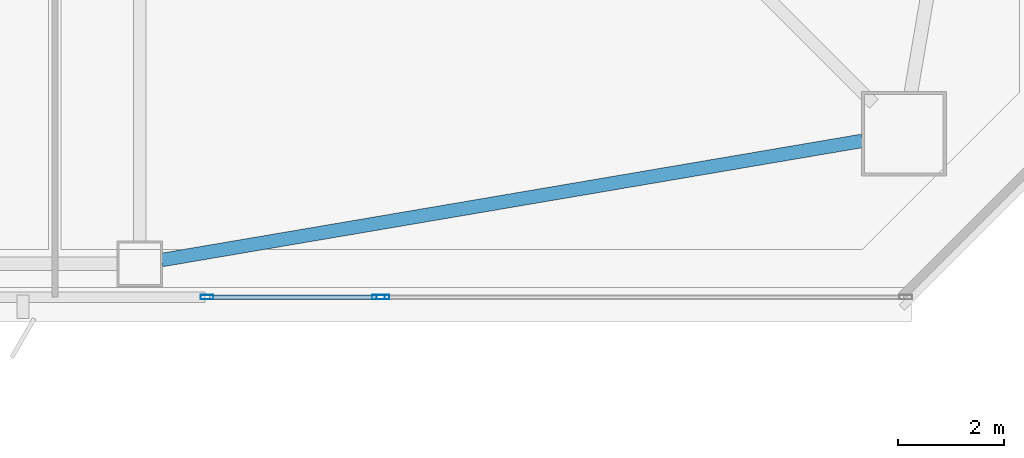
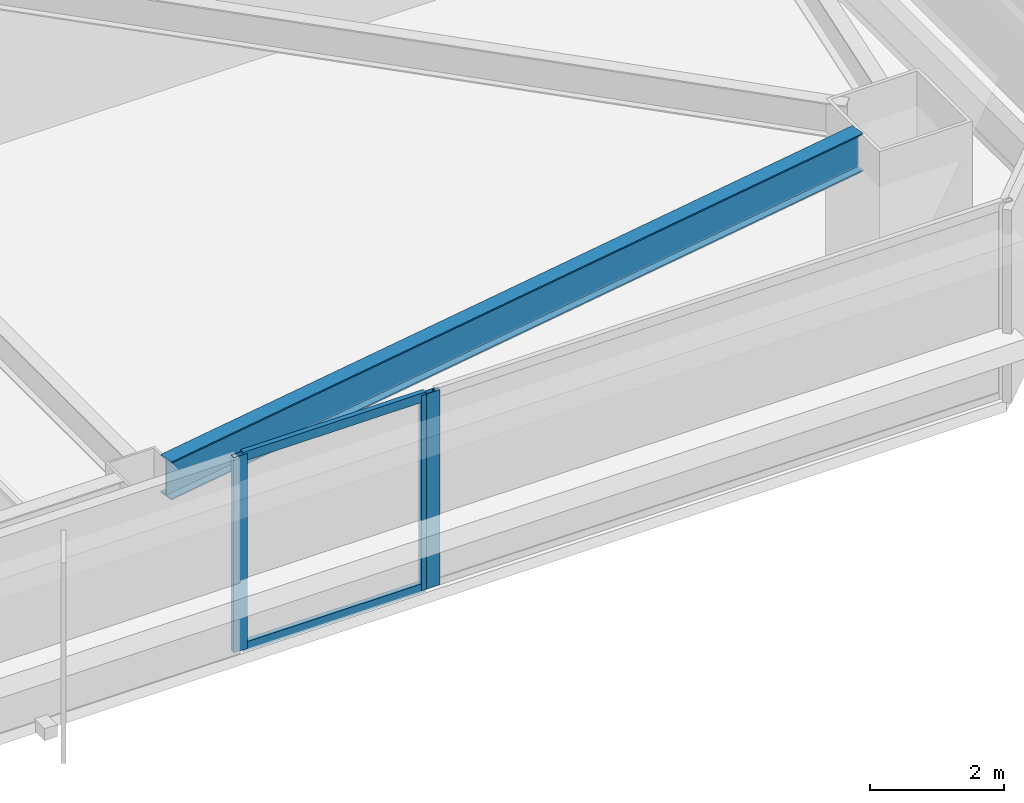
# One storey, part 7 of 62: 5 members, 1 beam, 2 elements without a shape of their own.
"""IFC4 building model written with IfcOpenShell, lengths in metres."""

import ifcopenshell
import ifcopenshell.guid

model = None  # the IFC model being written
_history = None  # IfcOwnerHistory: only IFC2X3 demands one
_inside = {}  # id of a spatial element -> (the spatial element, [elements in it])
_under = {}  # id of a project, library or spatial element -> (it, [spatial elements below it])
_declared = {}  # id of a project -> (the project, [libraries it declares])
_typed = {}  # id of a type object -> (the type object, [elements of that type])
_made_of = {}  # id of a material, layer set ... -> (it, [elements and type objects made of it])


def new_model(schema):
    """Start an empty IFC model of exactly this schema.

    Asked for "IFC4X3", IfcOpenShell would pick the latest addendum, in which some entities
    have other attributes; the version numbers below select the first issue.
    IFC2X3 requires an IfcOwnerHistory on every rooted entity: one is made here for all.
    """
    global model, _history
    if schema == "IFC4X3":
        model = ifcopenshell.file(schema_version=(4, 3, 0, 0))
    else:
        model = ifcopenshell.file(schema=schema)
    _inside.clear()
    _under.clear()
    _declared.clear()
    _typed.clear()
    _made_of.clear()
    _history = None
    if model.schema == "IFC2X3":
        org = make("IfcOrganization", Name="unknown")
        user = make(
            "IfcPersonAndOrganization",
            ThePerson=make("IfcPerson", FamilyName="unknown"),
            TheOrganization=org,
        )
        app = make(
            "IfcApplication",
            ApplicationDeveloper=org,
            Version="unknown",
            ApplicationFullName="unknown",
            ApplicationIdentifier="unknown",
        )
        _history = make(
            "IfcOwnerHistory",
            OwningUser=user,
            OwningApplication=app,
            ChangeAction="ADDED",
            CreationDate=0,
        )
    return model


def make(cls, **values):
    """One entity of the class cls with the attributes given. An attribute that is None is left unset."""
    return model.create_entity(
        cls, **{name: value for name, value in values.items() if value is not None}
    )


def rooted(cls, **values):
    """An entity with a GlobalId (a new one), such as an element, a storey or a relation."""
    return make(cls, GlobalId=ifcopenshell.guid.new(), OwnerHistory=_history, **values)


def si_unit(unit_type, name, prefix=None):
    """IfcSIUnit, for example si_unit("LENGTHUNIT", "METRE", prefix="MILLI")."""
    return make("IfcSIUnit", UnitType=unit_type, Prefix=prefix, Name=name)


def assignment(units):
    """IfcUnitAssignment: the units of a project."""
    return None if units is None else make("IfcUnitAssignment", Units=units)


def point(xyz):
    """IfcCartesianPoint."""
    return None if xyz is None else make("IfcCartesianPoint", Coordinates=xyz)


def direction(xyz):
    """IfcDirection."""
    return None if xyz is None else make("IfcDirection", DirectionRatios=xyz)


def frame(location, z_axis=None, x_axis=None):
    """IfcAxis2Placement3D, a coordinate frame: its origin and axes. An axis left out is left unset."""
    return make(
        "IfcAxis2Placement3D",
        Location=point(location),
        Axis=direction(z_axis),
        RefDirection=direction(x_axis),
    )


def frame_2d(location, x_axis=None):
    """IfcAxis2Placement2D, a coordinate frame in the plane: its origin and x axis."""
    return make(
        "IfcAxis2Placement2D", Location=point(location), RefDirection=direction(x_axis)
    )


def origin():
    """The frame at (0, 0, 0) with its axes left unset."""
    return frame((0.0, 0.0, 0.0))


def origin_2d():
    """The frame at (0, 0) in the plane with its x axis left unset."""
    return frame_2d((0.0, 0.0))


def place(relative_to, where):
    """IfcLocalPlacement: puts the frame where relative to a parent placement (None: the world)."""
    return make(
        "IfcLocalPlacement", PlacementRelTo=relative_to, RelativePlacement=where
    )


def context(
    kind, dimensions, precision=None, world=None, true_north=None, identifier=None
):
    """IfcGeometricRepresentationContext, for example the 3D "Model" context."""
    return make(
        "IfcGeometricRepresentationContext",
        ContextIdentifier=identifier,
        ContextType=kind,
        CoordinateSpaceDimension=dimensions,
        Precision=precision,
        WorldCoordinateSystem=world,
        TrueNorth=true_north,
    )


def subcontext(parent, identifier, kind, view, scale=None):
    """IfcGeometricRepresentationSubContext, for example "Body" below "Model"."""
    return make(
        "IfcGeometricRepresentationSubContext",
        ContextIdentifier=identifier,
        ContextType=kind,
        ParentContext=parent,
        TargetScale=scale,
        TargetView=view,
    )


def project(units=None, contexts=None):
    """IfcProject with its units and contexts."""
    return rooted(
        "IfcProject",
        Name="project",
        RepresentationContexts=contexts,
        UnitsInContext=assignment(units),
    )


def spatial(cls, under=None, at=None, **own):
    """A site, building, storey or space (cls), placed at a placement, below another one or the project."""
    s = rooted(cls, ObjectPlacement=at, **own)
    if under is not None:
        _under.setdefault(under.id(), (under, []))[1].append(s)
    return s


def profile(cls, at=None, kind="AREA", **sizes):
    """A parametric profile (cls). Its sizes go by their IFC names, for example OverallWidth=200.0."""
    return make(cls, ProfileType=kind, Position=at, **sizes)


def hollow_rectangle(**sizes):
    """IfcRectangleHollowProfileDef."""
    return profile("IfcRectangleHollowProfileDef", **sizes)


def i_section(**sizes):
    """IfcIShapeProfileDef."""
    return profile("IfcIShapeProfileDef", **sizes)


def extrude(swept, where, along, depth):
    """IfcExtrudedAreaSolid: the profile swept, set in the frame where, extruded along a direction by depth."""
    return make(
        "IfcExtrudedAreaSolid",
        SweptArea=swept,
        Position=where,
        ExtrudedDirection=direction(along),
        Depth=depth,
    )


def shape(context_of_items, identifier, shape_type, items):
    """IfcShapeRepresentation: the items that make up one representation, for example the "Body"."""
    return make(
        "IfcShapeRepresentation",
        ContextOfItems=context_of_items,
        RepresentationIdentifier=identifier,
        RepresentationType=shape_type,
        Items=items,
    )


def material(Name=None, Category=None):
    """IfcMaterial."""
    return make("IfcMaterial", Name=Name, Category=Category)


def material_profile(
    of_material, cross_section, Name=None, Category=None, Priority=None
):
    """IfcMaterialProfile: a cross section and its material."""
    return make(
        "IfcMaterialProfile",
        Name=Name,
        Material=of_material,
        Profile=cross_section,
        Priority=Priority,
        Category=Category,
    )


def profile_set(profiles, Name=None, composite=None):
    """IfcMaterialProfileSet."""
    return make(
        "IfcMaterialProfileSet",
        Name=Name,
        MaterialProfiles=profiles,
        CompositeProfile=composite,
    )


def made_of(thing, what):
    """Note that an element or type object is made of a material, layer set ...; save() writes the relation."""
    if what is not None:
        _made_of.setdefault(what.id(), (what, []))[1].append(thing)
    return thing


def type_object(cls, material=None, **own):
    """A type object (cls), such as IfcWallType, which elements share."""
    return made_of(rooted(cls, **own), material)


def element(
    cls,
    number,
    at=None,
    inside=None,
    cuts=None,
    type_object=None,
    material=None,
    context=None,
    identifier="Body",
    shape_type=None,
    held_by="IfcProductDefinitionShape",
    body=None,
    shapes=None,
    **own,
):
    """One element of the class cls, such as IfcWall. Its Tag is "e" and its number.

    at: its placement. inside: the storey or other place that contains it. cuts: it is an
    opening in that element (IfcRelVoidsElement). A single representation is given by context,
    identifier, shape_type and body (its items); several are given by shapes. held_by: the class
    of the entity that holds the representations. save() writes the other relations.
    """
    e = rooted(cls, Tag="e%d" % number, ObjectPlacement=at, **own)
    if body is not None:
        shapes = [shape(context, identifier, shape_type, body)]
    if shapes is not None:
        e.Representation = make(held_by, Representations=shapes)
    if inside is not None:
        _inside.setdefault(inside.id(), (inside, []))[1].append(e)
    if cuts is not None:
        rooted(
            "IfcRelVoidsElement", RelatingBuildingElement=cuts, RelatedOpeningElement=e
        )
    if type_object is not None:
        _typed.setdefault(type_object.id(), (type_object, []))[1].append(e)
    return made_of(e, material)


def aggregate(whole, parts):
    """IfcRelAggregates: a whole, such as a stair, and the parts it consists of."""
    return rooted("IfcRelAggregates", RelatingObject=whole, RelatedObjects=parts)


def save(model, path):
    """Write the relations noted so far, then the file.

    IfcRelAggregates (storeys below a building ...), IfcRelContainedInSpatialStructure (elements
    in a storey), IfcRelDefinesByType, IfcRelAssociatesMaterial and IfcRelDeclares: one each for
    every whole, place, type object, material and project.
    """
    for whole, parts in _under.values():
        aggregate(whole, parts)
    for where, things in _inside.values():
        rooted(
            "IfcRelContainedInSpatialStructure",
            RelatedElements=things,
            RelatingStructure=where,
        )
    for kind, things in _typed.values():
        rooted("IfcRelDefinesByType", RelatedObjects=things, RelatingType=kind)
    for what, things in _made_of.values():
        rooted("IfcRelAssociatesMaterial", RelatedObjects=things, RelatingMaterial=what)
    for by, libraries in _declared.values():
        rooted("IfcRelDeclares", RelatingContext=by, RelatedDefinitions=libraries)
    model.write(path)


model = new_model("IFC4")

# Units and contexts
model_context = context("Model", 3, precision=1e-05, world=origin(), true_north=direction((0.0, 1.0)))
body_context = subcontext(model_context, "Body", "Model", "MODEL_VIEW")
ifc_project = project(units=[si_unit("LENGTHUNIT", "METRE"), si_unit("AREAUNIT", "SQUARE_METRE"), si_unit("VOLUMEUNIT", "CUBIC_METRE"), si_unit("PLANEANGLEUNIT", "RADIAN"), si_unit("MASSUNIT", "GRAM", prefix="KILO")], contexts=[model_context])

# Site, building, storey
site_placement = place(None, origin())
site = spatial("IfcSite", under=ifc_project, at=site_placement, CompositionType="ELEMENT")
building_placement = place(site_placement, origin())
building = spatial("IfcBuilding", under=site, at=building_placement, Name="Tashvorn Skyway Center", CompositionType="ELEMENT")
storey_placement = place(building_placement, frame((0.0, 0.0, 28.14990234375)))
storey = spatial("IfcBuildingStorey", under=building, at=storey_placement, Name="L06", CompositionType="ELEMENT", Elevation=28.14990234375)

# Beam
ifc_material_1 = material(Name="Steel ASTM A992 Grade 50", Category="steel")
ifc_material_profile_1 = material_profile(ifc_material_1, i_section(OverallWidth=0.256103515625, OverallDepth=0.693115234375, WebThickness=0.014404296875, FlangeThickness=0.023681640625, at=origin_2d()), Name="W27X114")
ifc_profile_set_1 = profile_set([ifc_material_profile_1], Name="Steel ASTM A992 Grade 50")
beam_type = type_object("IfcBeamType", Name="BM-SPANDREL-W27X114", PredefinedType="SPANDREL", material=ifc_profile_set_1)
beam_placement = place(storey_placement, frame((47.81396484375, 9.820556640625, 3.003662109375), z_axis=(0.985835025551, 0.16771792509, 0.0), x_axis=(-0.16771792509, 0.985835025551, 0.0)))
element("IfcBeam", 1, at=beam_placement, inside=storey, type_object=beam_type, Name="Tower 1 L06 Spandrel Beam 03", PredefinedType="SPANDREL", context=body_context, shape_type="SweptSolid", body=[
    extrude(i_section(OverallWidth=0.256103515625, OverallDepth=0.693115234375, WebThickness=0.014404296875, FlangeThickness=0.023681640625, at=origin_2d()), origin(), (0.0, 0.0, 1.0), 13.39208984375),
])

# Curtain wall, member
ifc_material_2 = material(Name="Thermally broken bronze-anodized aluminium 6063-T6", Category="aluminium")
curtain_wall_type = type_object("IfcCurtainWallType", Name="CW-CW-Z1", PredefinedType="NOTDEFINED", material=ifc_material_2)
curtain_wall_1_placement = place(storey_placement, origin())
curtain_wall_1 = element("IfcCurtainWall", 2, at=curtain_wall_1_placement, inside=storey, type_object=curtain_wall_type, Name="Tower 1 L06 South Unitised Curtain Wall Glazing Group 1", PredefinedType="NOTDEFINED")
ifc_material_profile_2 = material_profile(ifc_material_2, hollow_rectangle(XDim=0.0849609375, YDim=0.239990234375, WallThickness=0.0048828125, at=origin_2d()), Name="ALU-MULL-85x240")
ifc_profile_set_2 = profile_set([ifc_material_profile_2], Name="Thermally broken bronze-anodized aluminium 6063-T6")
member_type_1 = type_object("IfcMemberType", Name="CWM-CW-Z1", PredefinedType="MULLION", material=ifc_profile_set_2)
member_1_placement = place(storey_placement, frame((51.982421875, 9.1201171875, 0.0), z_axis=(0.0, 0.0, 1.0), x_axis=(0.0, -1.0, 0.0)))
member_1 = element("IfcMember", 3, at=member_1_placement, type_object=member_type_1, Name="CW-Z1 mullion 2", PredefinedType="MULLION", context=body_context, shape_type="SweptSolid", body=[
    extrude(hollow_rectangle(XDim=0.0849609375, YDim=0.239990234375, WallThickness=0.0048828125, at=origin_2d()), origin(), (0.0, 0.0, 1.0), 3.550048828125),
])
aggregate(curtain_wall_1, [member_1])

# Curtain wall, members
curtain_wall_2_placement = place(storey_placement, origin())
curtain_wall_2 = element("IfcCurtainWall", 4, at=curtain_wall_2_placement, inside=storey, type_object=curtain_wall_type, Name="Tower 1 L06 South Unitised Curtain Wall Glazing Group 2", PredefinedType="NOTDEFINED")
member_2_placement = place(storey_placement, frame((51.8974609375, 9.1201171875, 0.0), z_axis=(0.0, 0.0, 1.0), x_axis=(0.0, -1.0, 0.0)))
member_2 = element("IfcMember", 5, at=member_2_placement, type_object=member_type_1, Name="CW-Z1 mullion 1", PredefinedType="MULLION", context=body_context, shape_type="SweptSolid", body=[
    extrude(hollow_rectangle(XDim=0.0849609375, YDim=0.239990234375, WallThickness=0.0048828125, at=origin_2d()), origin(), (0.0, 0.0, 1.0), 3.550048828125),
])
member_3_placement = place(storey_placement, frame((48.669189453125, 9.1201171875, 0.0), z_axis=(0.0, 0.0, 1.0), x_axis=(0.0, -1.0, 0.0)))
member_3 = element("IfcMember", 6, at=member_3_placement, type_object=member_type_1, Name="CW-Z1 mullion 2", PredefinedType="MULLION", context=body_context, shape_type="SweptSolid", body=[
    extrude(hollow_rectangle(XDim=0.0849609375, YDim=0.239990234375, WallThickness=0.0048828125, at=origin_2d()), origin(), (0.0, 0.0, 1.0), 3.550048828125),
])
ifc_material_profile_3 = material_profile(ifc_material_2, hollow_rectangle(XDim=0.0849609375, YDim=0.1650390625, WallThickness=0.0048828125, at=origin_2d()), Name="ALU-TRAN-85x165")
ifc_profile_set_3 = profile_set([ifc_material_profile_3], Name="Thermally broken bronze-anodized aluminium 6063-T6")
member_type_2 = type_object("IfcMemberType", Name="CWT-CW-Z1", PredefinedType="USERDEFINED", material=ifc_profile_set_3)
member_4_placement = place(storey_placement, frame((51.85498046875, 9.1201171875, 0.04248046875), z_axis=(-1.0, 0.0, 0.0), x_axis=(0.0, -1.0, 0.0)))
member_4 = element("IfcMember", 7, at=member_4_placement, type_object=member_type_2, Name="CW-Z1 transom 1.1", ObjectType="TRANSOM", PredefinedType="USERDEFINED", context=body_context, shape_type="SweptSolid", body=[
    extrude(hollow_rectangle(XDim=0.0849609375, YDim=0.1650390625, WallThickness=0.0048828125, at=origin_2d()), origin(), (0.0, 0.0, 1.0), 3.143310546875),
])
member_5_placement = place(storey_placement, frame((51.85498046875, 9.1201171875, 3.507568359375), z_axis=(-1.0, 0.0, 0.0), x_axis=(0.0, -1.0, 0.0)))
member_5 = element("IfcMember", 8, at=member_5_placement, type_object=member_type_2, Name="CW-Z1 transom 1.2", ObjectType="TRANSOM", PredefinedType="USERDEFINED", context=body_context, shape_type="SweptSolid", body=[
    extrude(hollow_rectangle(XDim=0.0849609375, YDim=0.1650390625, WallThickness=0.0048828125, at=origin_2d()), origin(), (0.0, 0.0, 1.0), 3.143310546875),
])
aggregate(curtain_wall_2, [member_2, member_3, member_4, member_5])

save(model, "model.ifc")
